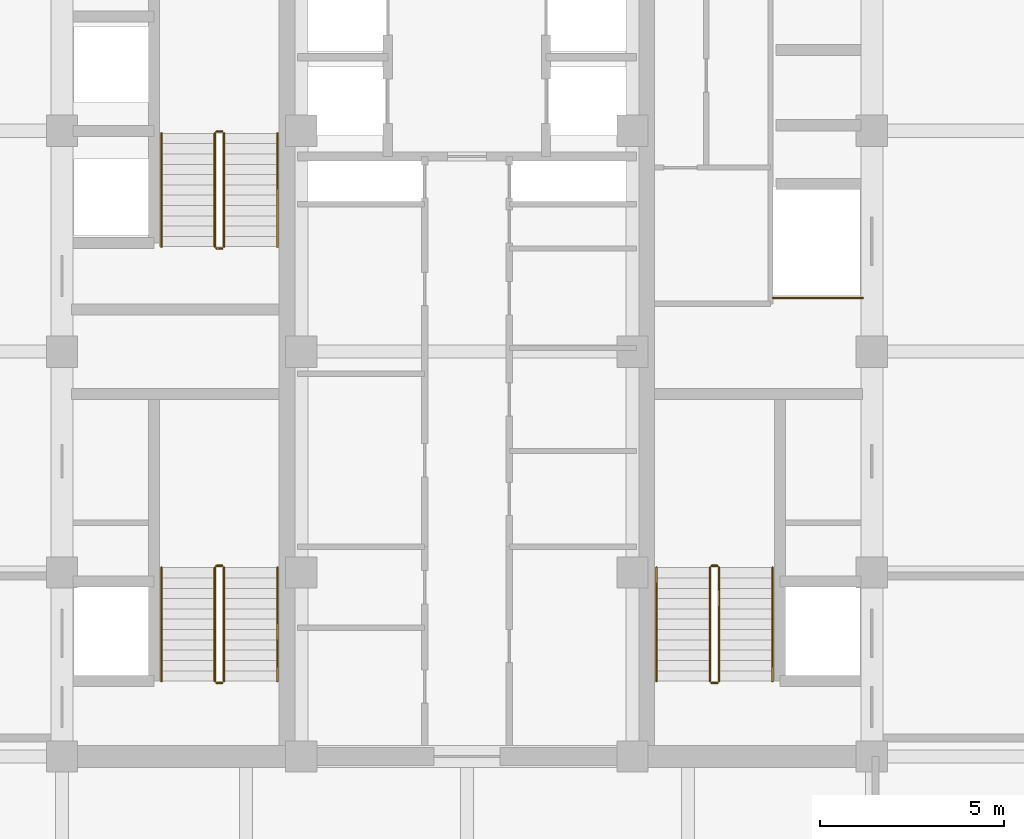
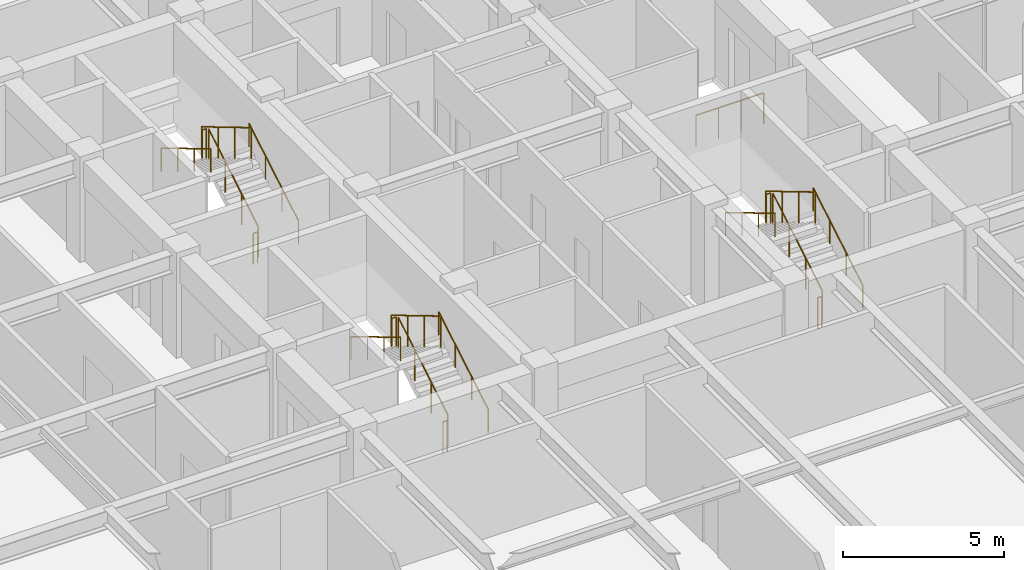
# One storey, part 25 of 25: 19 railings.
"""IFC4 building model written with IfcOpenShell, lengths in metres."""

from ifc_helpers import new_model, si_unit, direction, frame, origin, origin_2d, place, context, subcontext, project, spatial, circle, extrude, source, transform, mapped, material, type_object, element, save


model = new_model("IFC4")

# Units and contexts
model_context = context("Model", 3, precision=1e-05, world=origin(), true_north=direction((0.0, 1.0)))
body_context = subcontext(model_context, "Body", "Model", "MODEL_VIEW")
ifc_project = project(units=[si_unit("LENGTHUNIT", "METRE"), si_unit("AREAUNIT", "SQUARE_METRE"), si_unit("VOLUMEUNIT", "CUBIC_METRE"), si_unit("PLANEANGLEUNIT", "RADIAN"), si_unit("MASSUNIT", "GRAM", prefix="KILO")], contexts=[model_context])

# Site, building, storey
site_placement = place(None, origin())
site = spatial("IfcSite", under=ifc_project, at=site_placement, CompositionType="ELEMENT")
building_placement = place(site_placement, origin())
building = spatial("IfcBuilding", under=site, at=building_placement, Name="Khorayat Bourse Tower", CompositionType="ELEMENT")
storey_placement = place(building_placement, frame((0.0, 0.0, 251.10009765625)))
storey = spatial("IfcBuildingStorey", under=building, at=storey_placement, Name="L59", CompositionType="ELEMENT", Elevation=251.10009765625)

# Railings
ifc_material_1 = material(Name="Powder-coated steel balustrade", Category="steel")
railing_type_1 = type_object("IfcRailingType", Name="RLG-GUARD-1200", PredefinedType="GUARDRAIL", material=ifc_material_1)
shared_shape_1 = source(origin(), body_context, "Body", "SweptSolid", [
    extrude(circle(Radius=0.02392578125, at=origin_2d()), frame((0.0, 0.0, 1.17578125), z_axis=(-1.0, 0.0, 0.0), x_axis=(0.0, -1.0, 0.0)), (0.0, 0.0, 1.0), 0.150146484375),
    extrude(circle(Radius=0.02099609375, at=origin_2d()), origin(), (0.0, 0.0, 1.0), 1.15185546875),
    extrude(circle(Radius=0.02099609375, at=origin_2d()), frame((-0.150146484375, 0.0, 0.0)), (0.0, 0.0, 1.0), 1.15185546875),
])
for number, where, name in (
    (1, (-6.64990234375, -5.820068359375, 2.0), "L59 ST-1 stair guard 2"),
    (2, (-6.64990234375, -9.0, 0.0), "L59 ST-1 stair guard 4"),
    (3, (-6.64990234375, 5.97998046875, 2.0), "L59 ST-2 stair guard 2"),
    (4, (-6.64990234375, 2.800048828125, 0.0), "L59 ST-2 stair guard 4"),
    (5, (6.800048828125, -5.820068359375, 2.0), "L59 ST-3 stair guard 2"),
    (6, (6.800048828125, -9.0, 0.0), "L59 ST-3 stair guard 4"),
):
    element("IfcRailing", number, at=place(storey_placement, frame(where)), inside=storey, type_object=railing_type_1, Name=name, PredefinedType="GUARDRAIL", context=body_context, shape_type="MappedRepresentation", body=[
        mapped(shared_shape_1, transform((0.0, 0.0, 0.0), scale=1.0)),
    ])
shared_shape_2 = source(origin(), body_context, "Body", "SweptSolid", [
    extrude(circle(Radius=0.02392578125, at=origin_2d()), frame((0.0, 0.0, 1.17578125), z_axis=(0.0, 0.859260807169, 0.511537745687), x_axis=(-1.0, 0.0, 0.0)), (0.0, 0.0, 1.0), 3.584228515625),
    extrude(circle(Radius=0.02099609375, at=origin_2d()), origin(), (0.0, 0.0, 1.0), 1.15185546875),
    extrude(circle(Radius=0.02099609375, at=origin_2d()), frame((0.0, 1.026611328125, 0.611083984375)), (0.0, 0.0, 1.0), 1.15185546875),
    extrude(circle(Radius=0.02099609375, at=origin_2d()), frame((0.0, 2.05322265625, 1.222412109375)), (0.0, 0.0, 1.0), 1.15185546875),
    extrude(circle(Radius=0.02099609375, at=origin_2d()), frame((0.0, 3.079833984375, 1.83349609375)), (0.0, 0.0, 1.0), 1.15185546875),
])
for number, where, name in (
    (7, (-6.60009765625, -8.949951171875, 0.16650390625), "L59 ST-1 stair guard 1"),
    (8, (-6.60009765625, 2.85009765625, 0.16650390625), "L59 ST-2 stair guard 1"),
    (9, (6.85009765625, -8.949951171875, 0.16650390625), "L59 ST-3 stair guard 1"),
):
    element("IfcRailing", number, at=place(storey_placement, frame(where)), inside=storey, type_object=railing_type_1, Name=name, PredefinedType="GUARDRAIL", context=body_context, shape_type="MappedRepresentation", body=[
        mapped(shared_shape_2, transform((0.0, 0.0, 0.0), scale=1.0)),
    ])
shared_shape_3 = source(origin(), body_context, "Body", "SweptSolid", [
    extrude(circle(Radius=0.02392578125, at=origin_2d()), frame((0.0, 0.0, 1.17578125), z_axis=(0.0, -0.859260807169, 0.511537745687), x_axis=(1.0, 0.0, 0.0)), (0.0, 0.0, 1.0), 3.584228515625),
    extrude(circle(Radius=0.02099609375, at=origin_2d()), origin(), (0.0, 0.0, 1.0), 1.15185546875),
    extrude(circle(Radius=0.02099609375, at=origin_2d()), frame((0.0, -1.026611328125, 0.611083984375)), (0.0, 0.0, 1.0), 1.15185546875),
    extrude(circle(Radius=0.02099609375, at=origin_2d()), frame((0.0, -2.05322265625, 1.222412109375)), (0.0, 0.0, 1.0), 1.15185546875),
    extrude(circle(Radius=0.02099609375, at=origin_2d()), frame((0.0, -3.079833984375, 1.83349609375)), (0.0, 0.0, 1.0), 1.15185546875),
])
for number, where, name in (
    (10, (-6.85009765625, -5.8701171875, 2.16650390625), "L59 ST-1 stair guard 3"),
    (11, (-6.85009765625, 5.929931640625, 2.16650390625), "L59 ST-2 stair guard 3"),
    (12, (6.60009765625, -5.8701171875, 2.16650390625), "L59 ST-3 stair guard 3"),
):
    element("IfcRailing", number, at=place(storey_placement, frame(where)), inside=storey, type_object=railing_type_1, Name=name, PredefinedType="GUARDRAIL", context=body_context, shape_type="MappedRepresentation", body=[
        mapped(shared_shape_3, transform((0.0, 0.0, 0.0), scale=1.0)),
    ])
ifc_material_2 = material(Name="Brushed bronze stainless-steel handrail", Category="steel")
railing_type_2 = type_object("IfcRailingType", Name="RLG-HAND-900", PredefinedType="HANDRAIL", material=ifc_material_2)
shared_shape_4 = source(origin(), body_context, "Body", "SweptSolid", [
    extrude(circle(Radius=0.02392578125, at=origin_2d()), frame((0.0, 0.0, 0.8759765625), z_axis=(0.0, 0.859260807169, 0.511537745687), x_axis=(-1.0, 0.0, 0.0)), (0.0, 0.0, 1.0), 3.584228515625),
    extrude(circle(Radius=0.02099609375, at=origin_2d()), origin(), (0.0, 0.0, 1.0), 0.851806640625),
    extrude(circle(Radius=0.02099609375, at=origin_2d()), frame((0.0, 1.026611328125, 0.611083984375)), (0.0, 0.0, 1.0), 0.851806640625),
    extrude(circle(Radius=0.02099609375, at=origin_2d()), frame((0.0, 2.05322265625, 1.222412109375)), (0.0, 0.0, 1.0), 0.851806640625),
    extrude(circle(Radius=0.02099609375, at=origin_2d()), frame((0.0, 3.079833984375, 1.83349609375)), (0.0, 0.0, 1.0), 0.851806640625),
])
for number, where, name in (
    (13, (-5.14990234375, -8.949951171875, 0.16650390625), "L59 ST-1 stair handrail 1"),
    (14, (-5.14990234375, 2.85009765625, 0.16650390625), "L59 ST-2 stair handrail 1"),
    (15, (8.300048828125, -8.949951171875, 0.16650390625), "L59 ST-3 stair handrail 1"),
):
    element("IfcRailing", number, at=place(storey_placement, frame(where)), inside=storey, type_object=railing_type_2, Name=name, PredefinedType="HANDRAIL", context=body_context, shape_type="MappedRepresentation", body=[
        mapped(shared_shape_4, transform((0.0, 0.0, 0.0), scale=1.0)),
    ])
shared_shape_5 = source(origin(), body_context, "Body", "SweptSolid", [
    extrude(circle(Radius=0.02392578125, at=origin_2d()), frame((0.0, 0.0, 0.8759765625), z_axis=(0.0, -0.859260807169, 0.511537745687), x_axis=(1.0, 0.0, 0.0)), (0.0, 0.0, 1.0), 3.584228515625),
    extrude(circle(Radius=0.02099609375, at=origin_2d()), origin(), (0.0, 0.0, 1.0), 0.851806640625),
    extrude(circle(Radius=0.02099609375, at=origin_2d()), frame((0.0, -1.026611328125, 0.611083984375)), (0.0, 0.0, 1.0), 0.851806640625),
    extrude(circle(Radius=0.02099609375, at=origin_2d()), frame((0.0, -2.05322265625, 1.222412109375)), (0.0, 0.0, 1.0), 0.851806640625),
    extrude(circle(Radius=0.02099609375, at=origin_2d()), frame((0.0, -3.079833984375, 1.83349609375)), (0.0, 0.0, 1.0), 0.851806640625),
])
for number, where, name in (
    (16, (-8.300048828125, -5.8701171875, 2.16650390625), "L59 ST-1 stair handrail 2"),
    (17, (-8.300048828125, 5.929931640625, 2.16650390625), "L59 ST-2 stair handrail 2"),
    (18, (5.14990234375, -5.8701171875, 2.16650390625), "L59 ST-3 stair handrail 2"),
):
    element("IfcRailing", number, at=place(storey_placement, frame(where)), inside=storey, type_object=railing_type_2, Name=name, PredefinedType="HANDRAIL", context=body_context, shape_type="MappedRepresentation", body=[
        mapped(shared_shape_5, transform((0.0, 0.0, 0.0), scale=1.0)),
    ])
shared_shape_6 = source(origin(), body_context, "Body", "SweptSolid", [
    extrude(circle(Radius=0.02392578125, at=origin_2d()), frame((0.0, 0.0, 1.17578125), z_axis=(1.0, 0.0, 0.0), x_axis=(0.0, 1.0, 0.0)), (0.0, 0.0, 1.0), 2.429931640625),
    extrude(circle(Radius=0.02099609375, at=origin_2d()), origin(), (0.0, 0.0, 1.0), 1.15185546875),
    extrude(circle(Radius=0.02099609375, at=origin_2d()), frame((0.81005859375, 0.0, 0.0)), (0.0, 0.0, 1.0), 1.15185546875),
    extrude(circle(Radius=0.02099609375, at=origin_2d()), frame((1.619873046875, 0.0, 0.0)), (0.0, 0.0, 1.0), 1.15185546875),
    extrude(circle(Radius=0.02099609375, at=origin_2d()), frame((2.429931640625, 0.0, 0.0)), (0.0, 0.0, 1.0), 1.15185546875),
])
railing_placement = place(storey_placement, frame((8.320068359375, 1.4599609375, 0.0)))
element("IfcRailing", 19, at=railing_placement, inside=storey, type_object=railing_type_1, Name="L59 Goods Shaft Opening Guardrail", PredefinedType="GUARDRAIL", context=body_context, shape_type="MappedRepresentation", body=[
    mapped(shared_shape_6, transform((0.0, 0.0, 0.0), scale=1.0)),
])

save(model, "model.ifc")
